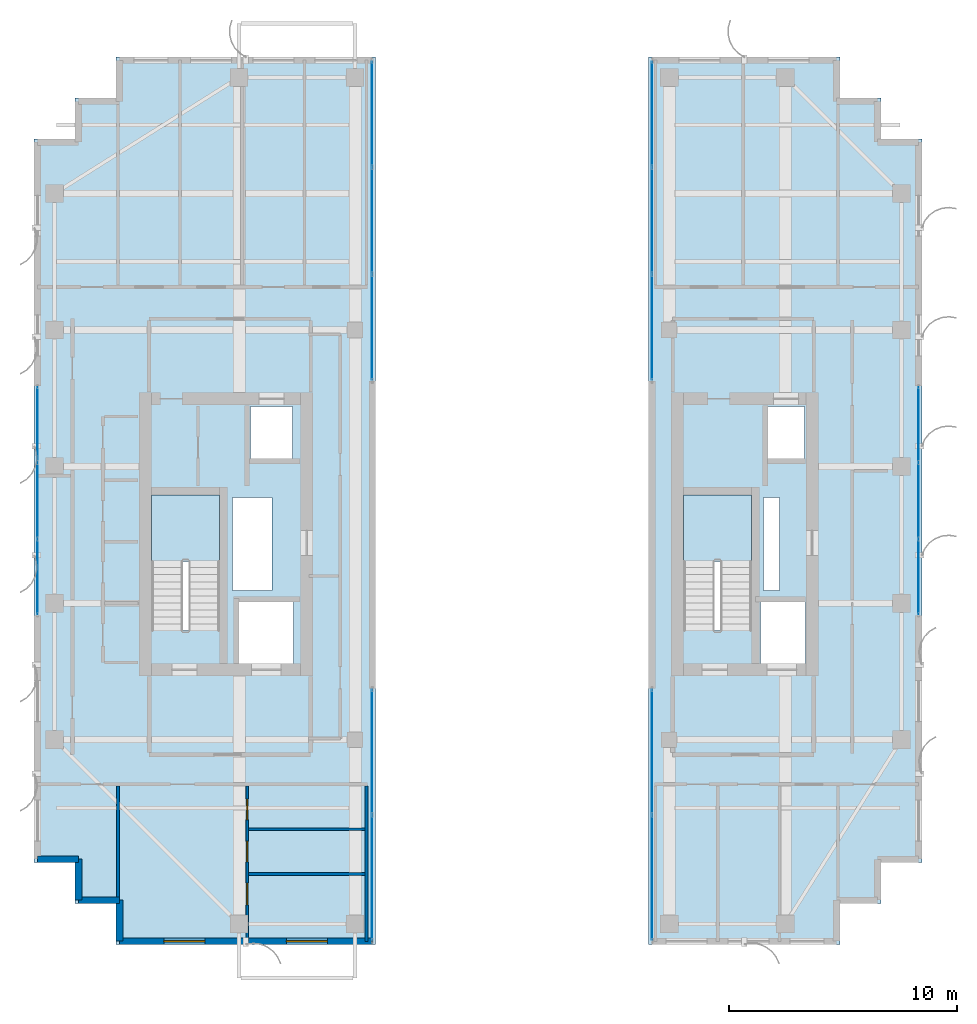
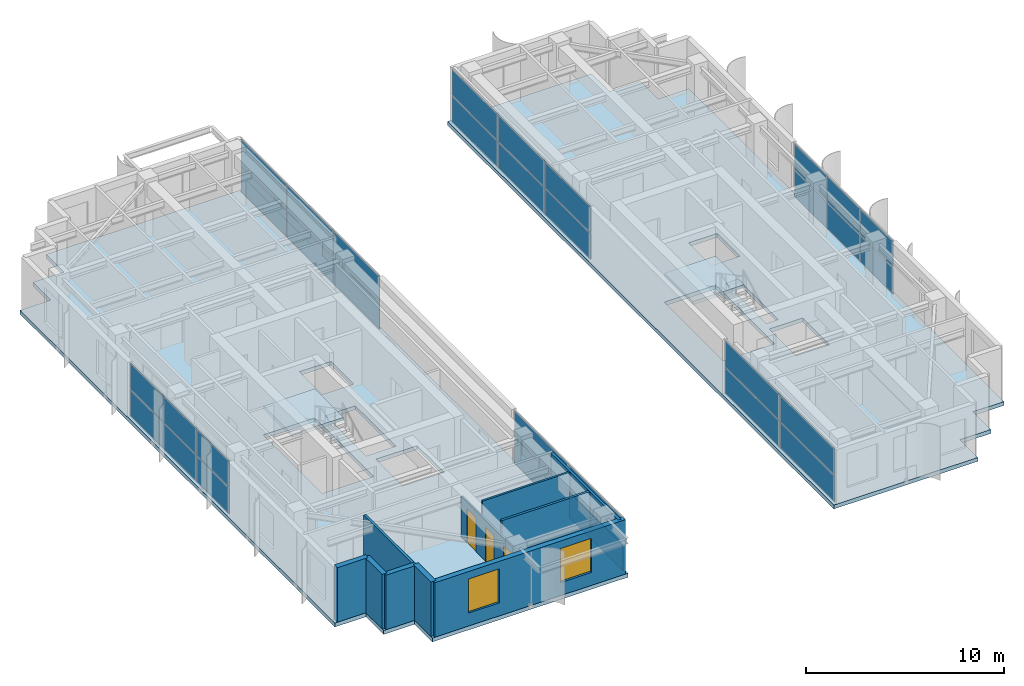
# One storey, part 16 of 22: 32 plates, 10 walls, 4 slabs, 3 doors, 2 windows, 5 openings, 8 elements without a shape of their own.
"""IFC4 building model written with IfcOpenShell, lengths in metres."""

from ifc_helpers import new_model, si_unit, direction, frame, frame_2d, origin, origin_2d, place, context, subcontext, project, spatial, polyline, rectangle, outline, extrude, source, transform, mapped, material, layer, layer_set, type_object, element, fill, aggregate, save


model = new_model("IFC4")

# Units and contexts
model_context = context("Model", 3, precision=1e-05, world=origin(), true_north=direction((0.0, 1.0)))
body_context = subcontext(model_context, "Body", "Model", "MODEL_VIEW")
ifc_project = project(units=[si_unit("LENGTHUNIT", "METRE"), si_unit("AREAUNIT", "SQUARE_METRE"), si_unit("VOLUMEUNIT", "CUBIC_METRE"), si_unit("PLANEANGLEUNIT", "RADIAN"), si_unit("MASSUNIT", "GRAM", prefix="KILO")], contexts=[model_context])

# Site, building, storey
site_placement = place(None, origin())
site = spatial("IfcSite", under=ifc_project, at=site_placement, CompositionType="ELEMENT")
building_placement = place(site_placement, origin())
building = spatial("IfcBuilding", under=site, at=building_placement, Name="Khoralis Quay Care Tower", CompositionType="ELEMENT")
storey_placement = place(building_placement, frame((0.0, 0.0, 256.5)))
storey = spatial("IfcBuildingStorey", under=building, at=storey_placement, Name="L67", CompositionType="ELEMENT", Elevation=256.5)

# Stair, slab
ifc_material_1 = material(Name="Precast concrete C45/55", Category="concrete")
stair_type = type_object("IfcStairType", Name="ST-TWR-DOGLEG-1400", PredefinedType="HALF_TURN_STAIR", material=ifc_material_1)
stair_1_placement = place(storey_placement, origin())
stair_1 = element("IfcStair", 1, at=stair_1_placement, inside=storey, type_object=stair_type, Name="L67 West Core Exit Stair ST-T1", PredefinedType="HALF_TURN_STAIR")
ifc_layer_1 = layer(ifc_material_1, 0.199951171875)
ifc_layer_set_1 = layer_set([ifc_layer_1], Name="Precast concrete C45/55")
slab_type_1 = type_object("IfcSlabType", Name="SLB-LANDING-200", PredefinedType="LANDING", material=ifc_layer_set_1)
slab_1_placement = place(storey_placement, frame((0.0, 0.0, 1.60009765625)))
slab_1 = element("IfcSlab", 2, at=slab_1_placement, type_object=slab_type_1, Name="ST-T1 landing 1", PredefinedType="LANDING", context=body_context, shape_type="SweptSolid", body=[
    extrude(outline(polyline([(11.14990234375, 19.840087890625), (11.14990234375, 22.75), (8.14990234375, 22.75), (8.14990234375, 19.840087890625), (11.14990234375, 19.840087890625)])), origin(), (0.0, 0.0, 1.0), 0.199951171875),
])
aggregate(stair_1, [slab_1])

stair_2_placement = place(storey_placement, origin())
stair_2 = element("IfcStair", 3, at=stair_2_placement, inside=storey, type_object=stair_type, Name="L67 East Core Exit Stair ST-T2", PredefinedType="HALF_TURN_STAIR")
slab_2_placement = place(storey_placement, frame((0.0, 0.0, 1.60009765625)))
slab_2 = element("IfcSlab", 4, at=slab_2_placement, type_object=slab_type_1, Name="ST-T2 landing 1", PredefinedType="LANDING", context=body_context, shape_type="SweptSolid", body=[
    extrude(outline(polyline([(34.52001953125, 19.840087890625), (34.52001953125, 22.75), (31.52001953125, 22.75), (31.52001953125, 19.840087890625), (34.52001953125, 19.840087890625)])), origin(), (0.0, 0.0, 1.0), 0.199951171875),
])
aggregate(stair_2, [slab_2])

# Slabs
ifc_material_2 = material(Name="Concrete C40/50", Category="concrete")
ifc_layer_2 = layer(ifc_material_2, 0.239990234375)
ifc_layer_set_2 = layer_set([ifc_layer_2], Name="Concrete C40/50")
slab_type_2 = type_object("IfcSlabType", Name="SLB-TWR-240", PredefinedType="FLOOR", material=ifc_layer_set_2)
slab_3_placement = place(storey_placement, frame((0.0, 0.0, -0.239990234375)))
element("IfcSlab", 5, at=slab_3_placement, inside=storey, type_object=slab_type_2, Name="Tower Wing 1 Slab L67", PredefinedType="FLOOR", context=body_context, shape_type="SweptSolid", body=[
    extrude(outline(polyline([(6.60009765625, 3.0), (18.0, 3.0), (18.0, 42.0), (6.60009765625, 42.0), (6.60009765625, 40.199951171875), (4.800048828125, 40.199951171875), (4.800048828125, 38.39990234375), (3.0, 38.39990234375), (3.0, 6.60009765625), (4.800048828125, 6.60009765625), (4.800048828125, 4.800048828125), (6.60009765625, 4.800048828125), (6.60009765625, 3.0)]), holes=[polyline([(11.14990234375, 16.800048828125), (11.14990234375, 22.75), (8.14990234375, 22.75), (8.14990234375, 16.800048828125), (11.14990234375, 16.800048828125)]), polyline([(12.0, 15.35009765625), (14.39990234375, 15.35009765625), (14.39990234375, 18.050048828125), (12.0, 18.050048828125), (12.0, 15.35009765625)]), polyline([(12.5, 24.35009765625), (14.35009765625, 24.35009765625), (14.35009765625, 26.64990234375), (12.5, 26.64990234375), (12.5, 24.35009765625)]), polyline([(11.719970703125, 18.550048828125), (13.449951171875, 18.550048828125), (13.449951171875, 22.64990234375), (11.719970703125, 22.64990234375), (11.719970703125, 18.550048828125)])]), origin(), (0.0, 0.0, 1.0), 0.239990234375),
])
slab_4_placement = place(storey_placement, frame((0.0, 0.0, -0.239990234375)))
element("IfcSlab", 6, at=slab_4_placement, inside=storey, type_object=slab_type_2, Name="Tower Wing 2 Slab L67", PredefinedType="FLOOR", context=body_context, shape_type="SweptSolid", body=[
    extrude(outline(polyline([(30.0, 3.0), (38.39990234375, 3.0), (38.39990234375, 4.800048828125), (40.199951171875, 4.800048828125), (40.199951171875, 6.60009765625), (42.0, 6.60009765625), (42.0, 38.39990234375), (40.199951171875, 38.39990234375), (40.199951171875, 40.199951171875), (38.39990234375, 40.199951171875), (38.39990234375, 42.0), (30.0, 42.0), (30.0, 3.0)]), holes=[polyline([(34.52001953125, 16.800048828125), (34.52001953125, 22.75), (31.52001953125, 22.75), (31.52001953125, 16.800048828125), (34.52001953125, 16.800048828125)]), polyline([(34.919921875, 15.35009765625), (36.8798828125, 15.35009765625), (36.8798828125, 18.050048828125), (34.919921875, 18.050048828125), (34.919921875, 15.35009765625)]), polyline([(35.199951171875, 24.35009765625), (36.85009765625, 24.35009765625), (36.85009765625, 26.64990234375), (35.199951171875, 26.64990234375), (35.199951171875, 24.35009765625)]), polyline([(35.050048828125, 18.550048828125), (35.75, 18.550048828125), (35.75, 22.64990234375), (35.050048828125, 22.64990234375), (35.050048828125, 18.550048828125)])]), origin(), (0.0, 0.0, 1.0), 0.239990234375),
])

# Curtain wall, plates
ifc_material_3 = material(Name="Pale anodised aluminium", Category="aluminium")
ifc_layer_3 = layer(ifc_material_3, 0.18994140625)
ifc_layer_set_3 = layer_set([ifc_layer_3], Name="Pale anodised aluminium")
curtain_wall_type_1 = type_object("IfcCurtainWallType", Name="CW-SYS-PORTAL", PredefinedType="NOTDEFINED", material=ifc_layer_set_3)
curtain_wall_1_placement = place(storey_placement, origin())
curtain_wall_1 = element("IfcCurtainWall", 7, at=curtain_wall_1_placement, inside=storey, type_object=curtain_wall_type_1, Name="L67 Unitised Curtain Wall CW-VP-L67-P1-S", PredefinedType="NOTDEFINED")
ifc_material_4 = material(Name="Low-E solar-control double glazing", Category="glass")
ifc_layer_4 = layer(ifc_material_4, 0.031982421875)
ifc_layer_set_4 = layer_set([ifc_layer_4], Name="Low-E solar-control double glazing")
plate_type = type_object("IfcPlateType", Name="PNL-VIS-32", PredefinedType="CURTAIN_PANEL", material=ifc_layer_set_4)
shared_shape_1 = source(origin(), body_context, "Body", "SweptSolid", [
    extrude(rectangle(XDim=5.4599609375, YDim=0.028076171875, at=origin_2d()), origin(), (0.0, 0.0, 1.0), 1.590087890625),
])
plate_1_placement = place(storey_placement, frame((17.85009765625, 5.93994140625, 0.06005859375), z_axis=(0.0, 0.0, 1.0), x_axis=(0.0, 1.0, 0.0)))
plate_1 = element("IfcPlate", 8, at=plate_1_placement, type_object=plate_type, Name="CW4 panel 1.1", PredefinedType="CURTAIN_PANEL", context=body_context, shape_type="MappedRepresentation", body=[
    mapped(shared_shape_1, transform((0.0, 0.0, 0.0), scale=1.0)),
])
plate_2_placement = place(storey_placement, frame((17.85009765625, 5.93994140625, 1.7099609375), z_axis=(0.0, 0.0, 1.0), x_axis=(0.0, 1.0, 0.0)))
plate_2 = element("IfcPlate", 9, at=plate_2_placement, type_object=plate_type, Name="CW4 panel 1.2", PredefinedType="CURTAIN_PANEL", context=body_context, shape_type="MappedRepresentation", body=[
    mapped(shared_shape_1, transform((0.0, 0.0, 0.0), scale=1.0)),
])
plate_3_placement = place(storey_placement, frame((17.85009765625, 11.4599609375, 0.06005859375), z_axis=(0.0, 0.0, 1.0), x_axis=(0.0, 1.0, 0.0)))
plate_3 = element("IfcPlate", 10, at=plate_3_placement, type_object=plate_type, Name="CW4 panel 2.1", PredefinedType="CURTAIN_PANEL", context=body_context, shape_type="MappedRepresentation", body=[
    mapped(shared_shape_1, transform((0.0, 0.0, 0.0), scale=1.0)),
])
plate_4_placement = place(storey_placement, frame((17.85009765625, 11.4599609375, 1.7099609375), z_axis=(0.0, 0.0, 1.0), x_axis=(0.0, 1.0, 0.0)))
plate_4 = element("IfcPlate", 11, at=plate_4_placement, type_object=plate_type, Name="CW4 panel 2.2", PredefinedType="CURTAIN_PANEL", context=body_context, shape_type="MappedRepresentation", body=[
    mapped(shared_shape_1, transform((0.0, 0.0, 0.0), scale=1.0)),
])
aggregate(curtain_wall_1, [plate_1, plate_2, plate_3, plate_4])

curtain_wall_2_placement = place(storey_placement, origin())
curtain_wall_2 = element("IfcCurtainWall", 12, at=curtain_wall_2_placement, inside=storey, type_object=curtain_wall_type_1, Name="L67 Unitised Curtain Wall CW-VP-L67-P2-S", PredefinedType="NOTDEFINED")
plate_5_placement = place(storey_placement, frame((30.14990234375, 5.93994140625, 0.06005859375), z_axis=(0.0, 0.0, 1.0), x_axis=(0.0, 1.0, 0.0)))
plate_5 = element("IfcPlate", 13, at=plate_5_placement, type_object=plate_type, Name="CW4 panel 1.1", PredefinedType="CURTAIN_PANEL", context=body_context, shape_type="MappedRepresentation", body=[
    mapped(shared_shape_1, transform((0.0, 0.0, 0.0), scale=1.0)),
])
plate_6_placement = place(storey_placement, frame((30.14990234375, 5.93994140625, 1.7099609375), z_axis=(0.0, 0.0, 1.0), x_axis=(0.0, 1.0, 0.0)))
plate_6 = element("IfcPlate", 14, at=plate_6_placement, type_object=plate_type, Name="CW4 panel 1.2", PredefinedType="CURTAIN_PANEL", context=body_context, shape_type="MappedRepresentation", body=[
    mapped(shared_shape_1, transform((0.0, 0.0, 0.0), scale=1.0)),
])
plate_7_placement = place(storey_placement, frame((30.14990234375, 11.4599609375, 0.06005859375), z_axis=(0.0, 0.0, 1.0), x_axis=(0.0, 1.0, 0.0)))
plate_7 = element("IfcPlate", 15, at=plate_7_placement, type_object=plate_type, Name="CW4 panel 2.1", PredefinedType="CURTAIN_PANEL", context=body_context, shape_type="MappedRepresentation", body=[
    mapped(shared_shape_1, transform((0.0, 0.0, 0.0), scale=1.0)),
])
plate_8_placement = place(storey_placement, frame((30.14990234375, 11.4599609375, 1.7099609375), z_axis=(0.0, 0.0, 1.0), x_axis=(0.0, 1.0, 0.0)))
plate_8 = element("IfcPlate", 16, at=plate_8_placement, type_object=plate_type, Name="CW4 panel 2.2", PredefinedType="CURTAIN_PANEL", context=body_context, shape_type="MappedRepresentation", body=[
    mapped(shared_shape_1, transform((0.0, 0.0, 0.0), scale=1.0)),
])
aggregate(curtain_wall_2, [plate_5, plate_6, plate_7, plate_8])

curtain_wall_3_placement = place(storey_placement, origin())
curtain_wall_3 = element("IfcCurtainWall", 17, at=curtain_wall_3_placement, inside=storey, type_object=curtain_wall_type_1, Name="L67 Unitised Curtain Wall CW-VP-L67-P1-N", PredefinedType="NOTDEFINED")
shared_shape_2 = source(origin(), body_context, "Body", "SweptSolid", [
    extrude(rectangle(XDim=4.610107421875, YDim=0.028076171875, at=origin_2d()), origin(), (0.0, 0.0, 1.0), 1.590087890625),
])
plate_9_placement = place(storey_placement, frame((17.85009765625, 30.114990234375, 0.06005859375), z_axis=(0.0, 0.0, 1.0), x_axis=(0.0, 1.0, 0.0)))
plate_9 = element("IfcPlate", 18, at=plate_9_placement, type_object=plate_type, Name="CW4 panel 1.1", PredefinedType="CURTAIN_PANEL", context=body_context, shape_type="MappedRepresentation", body=[
    mapped(shared_shape_2, transform((0.0, 0.0, 0.0), scale=1.0)),
])
plate_10_placement = place(storey_placement, frame((17.85009765625, 30.114990234375, 1.7099609375), z_axis=(0.0, 0.0, 1.0), x_axis=(0.0, 1.0, 0.0)))
plate_10 = element("IfcPlate", 19, at=plate_10_placement, type_object=plate_type, Name="CW4 panel 1.2", PredefinedType="CURTAIN_PANEL", context=body_context, shape_type="MappedRepresentation", body=[
    mapped(shared_shape_2, transform((0.0, 0.0, 0.0), scale=1.0)),
])
plate_11_placement = place(storey_placement, frame((17.85009765625, 39.485107421875, 0.06005859375), z_axis=(0.0, 0.0, 1.0), x_axis=(0.0, 1.0, 0.0)))
plate_11 = element("IfcPlate", 20, at=plate_11_placement, type_object=plate_type, Name="CW4 panel 3.1", PredefinedType="CURTAIN_PANEL", context=body_context, shape_type="MappedRepresentation", body=[
    mapped(shared_shape_2, transform((0.0, 0.0, 0.0), scale=1.0)),
])
plate_12_placement = place(storey_placement, frame((17.85009765625, 39.485107421875, 1.7099609375), z_axis=(0.0, 0.0, 1.0), x_axis=(0.0, 1.0, 0.0)))
plate_12 = element("IfcPlate", 21, at=plate_12_placement, type_object=plate_type, Name="CW4 panel 3.2", PredefinedType="CURTAIN_PANEL", context=body_context, shape_type="MappedRepresentation", body=[
    mapped(shared_shape_2, transform((0.0, 0.0, 0.0), scale=1.0)),
])

curtain_wall_4_placement = place(storey_placement, origin())
curtain_wall_4 = element("IfcCurtainWall", 22, at=curtain_wall_4_placement, inside=storey, type_object=curtain_wall_type_1, Name="L67 Unitised Curtain Wall CW-VP-L67-P2-N", PredefinedType="NOTDEFINED")
plate_13_placement = place(storey_placement, frame((30.14990234375, 30.114990234375, 0.06005859375), z_axis=(0.0, 0.0, 1.0), x_axis=(0.0, 1.0, 0.0)))
plate_13 = element("IfcPlate", 23, at=plate_13_placement, type_object=plate_type, Name="CW4 panel 1.1", PredefinedType="CURTAIN_PANEL", context=body_context, shape_type="MappedRepresentation", body=[
    mapped(shared_shape_2, transform((0.0, 0.0, 0.0), scale=1.0)),
])
plate_14_placement = place(storey_placement, frame((30.14990234375, 30.114990234375, 1.7099609375), z_axis=(0.0, 0.0, 1.0), x_axis=(0.0, 1.0, 0.0)))
plate_14 = element("IfcPlate", 24, at=plate_14_placement, type_object=plate_type, Name="CW4 panel 1.2", PredefinedType="CURTAIN_PANEL", context=body_context, shape_type="MappedRepresentation", body=[
    mapped(shared_shape_2, transform((0.0, 0.0, 0.0), scale=1.0)),
])
plate_15_placement = place(storey_placement, frame((30.14990234375, 39.485107421875, 0.06005859375), z_axis=(0.0, 0.0, 1.0), x_axis=(0.0, 1.0, 0.0)))
plate_15 = element("IfcPlate", 25, at=plate_15_placement, type_object=plate_type, Name="CW4 panel 3.1", PredefinedType="CURTAIN_PANEL", context=body_context, shape_type="MappedRepresentation", body=[
    mapped(shared_shape_2, transform((0.0, 0.0, 0.0), scale=1.0)),
])
plate_16_placement = place(storey_placement, frame((30.14990234375, 39.485107421875, 1.7099609375), z_axis=(0.0, 0.0, 1.0), x_axis=(0.0, 1.0, 0.0)))
plate_16 = element("IfcPlate", 26, at=plate_16_placement, type_object=plate_type, Name="CW4 panel 3.2", PredefinedType="CURTAIN_PANEL", context=body_context, shape_type="MappedRepresentation", body=[
    mapped(shared_shape_2, transform((0.0, 0.0, 0.0), scale=1.0)),
])

# Plate
shared_shape_3 = source(origin(), body_context, "Body", "SweptSolid", [
    extrude(rectangle(XDim=4.639892578125, YDim=0.028076171875, at=origin_2d()), origin(), (0.0, 0.0, 1.0), 1.590087890625),
])
plate_17_placement = place(storey_placement, frame((17.85009765625, 34.800048828125, 0.06005859375), z_axis=(0.0, 0.0, 1.0), x_axis=(0.0, 1.0, 0.0)))
plate_17 = element("IfcPlate", 27, at=plate_17_placement, type_object=plate_type, Name="CW4 panel 2.1", PredefinedType="CURTAIN_PANEL", context=body_context, shape_type="MappedRepresentation", body=[
    mapped(shared_shape_3, transform((0.0, 0.0, 0.0), scale=1.0)),
])

plate_18_placement = place(storey_placement, frame((17.85009765625, 34.800048828125, 1.7099609375), z_axis=(0.0, 0.0, 1.0), x_axis=(0.0, 1.0, 0.0)))
plate_18 = element("IfcPlate", 28, at=plate_18_placement, type_object=plate_type, Name="CW4 panel 2.2", PredefinedType="CURTAIN_PANEL", context=body_context, shape_type="MappedRepresentation", body=[
    mapped(shared_shape_3, transform((0.0, 0.0, 0.0), scale=1.0)),
])

aggregate(curtain_wall_3, [plate_9, plate_10, plate_17, plate_18, plate_11, plate_12])

plate_19_placement = place(storey_placement, frame((30.14990234375, 34.800048828125, 0.06005859375), z_axis=(0.0, 0.0, 1.0), x_axis=(0.0, 1.0, 0.0)))
plate_19 = element("IfcPlate", 29, at=plate_19_placement, type_object=plate_type, Name="CW4 panel 2.1", PredefinedType="CURTAIN_PANEL", context=body_context, shape_type="MappedRepresentation", body=[
    mapped(shared_shape_3, transform((0.0, 0.0, 0.0), scale=1.0)),
])

plate_20_placement = place(storey_placement, frame((30.14990234375, 34.800048828125, 1.7099609375), z_axis=(0.0, 0.0, 1.0), x_axis=(0.0, 1.0, 0.0)))
plate_20 = element("IfcPlate", 30, at=plate_20_placement, type_object=plate_type, Name="CW4 panel 2.2", PredefinedType="CURTAIN_PANEL", context=body_context, shape_type="MappedRepresentation", body=[
    mapped(shared_shape_3, transform((0.0, 0.0, 0.0), scale=1.0)),
])

aggregate(curtain_wall_4, [plate_13, plate_14, plate_19, plate_20, plate_15, plate_16])

# Curtain wall, plates
ifc_layer_5 = layer(ifc_material_3, 0.159912109375)
ifc_layer_set_5 = layer_set([ifc_layer_5], Name="Pale anodised aluminium")
curtain_wall_type_2 = type_object("IfcCurtainWallType", Name="CW-SYS-Z3", PredefinedType="NOTDEFINED", material=ifc_layer_set_5)
curtain_wall_5_placement = place(storey_placement, origin())
curtain_wall_5 = element("IfcCurtainWall", 31, at=curtain_wall_5_placement, inside=storey, type_object=curtain_wall_type_2, Name="L67 Unitised Curtain Wall CW-L67-P1-E7", PredefinedType="NOTDEFINED")
shared_shape_4 = source(origin(), body_context, "Body", "SweptSolid", [
    extrude(rectangle(XDim=3.27001953125, YDim=0.028076171875, at=origin_2d()), origin(), (0.0, 0.0, 1.0), 1.590087890625),
])
plate_21_placement = place(storey_placement, frame((3.14990234375, 25.844970703125, 0.06005859375), z_axis=(0.0, 0.0, 1.0), x_axis=(0.0, -1.0, 0.0)))
plate_21 = element("IfcPlate", 32, at=plate_21_placement, type_object=plate_type, Name="CW3 panel 1.1", PredefinedType="CURTAIN_PANEL", context=body_context, shape_type="MappedRepresentation", body=[
    mapped(shared_shape_4, transform((0.0, 0.0, 0.0), scale=1.0)),
])
plate_22_placement = place(storey_placement, frame((3.14990234375, 25.844970703125, 1.7099609375), z_axis=(0.0, 0.0, 1.0), x_axis=(0.0, -1.0, 0.0)))
plate_22 = element("IfcPlate", 33, at=plate_22_placement, type_object=plate_type, Name="CW3 panel 1.2", PredefinedType="CURTAIN_PANEL", context=body_context, shape_type="MappedRepresentation", body=[
    mapped(shared_shape_4, transform((0.0, 0.0, 0.0), scale=1.0)),
])
plate_23_placement = place(storey_placement, frame((3.14990234375, 19.155029296875, 0.06005859375), z_axis=(0.0, 0.0, 1.0), x_axis=(0.0, -1.0, 0.0)))
plate_23 = element("IfcPlate", 34, at=plate_23_placement, type_object=plate_type, Name="CW3 panel 3.1", PredefinedType="CURTAIN_PANEL", context=body_context, shape_type="MappedRepresentation", body=[
    mapped(shared_shape_4, transform((0.0, 0.0, 0.0), scale=1.0)),
])
plate_24_placement = place(storey_placement, frame((3.14990234375, 19.155029296875, 1.7099609375), z_axis=(0.0, 0.0, 1.0), x_axis=(0.0, -1.0, 0.0)))
plate_24 = element("IfcPlate", 35, at=plate_24_placement, type_object=plate_type, Name="CW3 panel 3.2", PredefinedType="CURTAIN_PANEL", context=body_context, shape_type="MappedRepresentation", body=[
    mapped(shared_shape_4, transform((0.0, 0.0, 0.0), scale=1.0)),
])

curtain_wall_6_placement = place(storey_placement, origin())
curtain_wall_6 = element("IfcCurtainWall", 36, at=curtain_wall_6_placement, inside=storey, type_object=curtain_wall_type_2, Name="L67 Unitised Curtain Wall CW-L67-P2-E5", PredefinedType="NOTDEFINED")
plate_25_placement = place(storey_placement, frame((41.85009765625, 19.155029296875, 0.06005859375), z_axis=(0.0, 0.0, 1.0), x_axis=(0.0, 1.0, 0.0)))
plate_25 = element("IfcPlate", 37, at=plate_25_placement, type_object=plate_type, Name="CW3 panel 1.1", PredefinedType="CURTAIN_PANEL", context=body_context, shape_type="MappedRepresentation", body=[
    mapped(shared_shape_4, transform((0.0, 0.0, 0.0), scale=1.0)),
])
plate_26_placement = place(storey_placement, frame((41.85009765625, 19.155029296875, 1.7099609375), z_axis=(0.0, 0.0, 1.0), x_axis=(0.0, 1.0, 0.0)))
plate_26 = element("IfcPlate", 38, at=plate_26_placement, type_object=plate_type, Name="CW3 panel 1.2", PredefinedType="CURTAIN_PANEL", context=body_context, shape_type="MappedRepresentation", body=[
    mapped(shared_shape_4, transform((0.0, 0.0, 0.0), scale=1.0)),
])
plate_27_placement = place(storey_placement, frame((41.85009765625, 25.844970703125, 0.06005859375), z_axis=(0.0, 0.0, 1.0), x_axis=(0.0, 1.0, 0.0)))
plate_27 = element("IfcPlate", 39, at=plate_27_placement, type_object=plate_type, Name="CW3 panel 3.1", PredefinedType="CURTAIN_PANEL", context=body_context, shape_type="MappedRepresentation", body=[
    mapped(shared_shape_4, transform((0.0, 0.0, 0.0), scale=1.0)),
])
plate_28_placement = place(storey_placement, frame((41.85009765625, 25.844970703125, 1.7099609375), z_axis=(0.0, 0.0, 1.0), x_axis=(0.0, 1.0, 0.0)))
plate_28 = element("IfcPlate", 40, at=plate_28_placement, type_object=plate_type, Name="CW3 panel 3.2", PredefinedType="CURTAIN_PANEL", context=body_context, shape_type="MappedRepresentation", body=[
    mapped(shared_shape_4, transform((0.0, 0.0, 0.0), scale=1.0)),
])

# Plate
shared_shape_5 = source(origin(), body_context, "Body", "SweptSolid", [
    extrude(rectangle(XDim=3.300048828125, YDim=0.028076171875, at=origin_2d()), origin(), (0.0, 0.0, 1.0), 1.590087890625),
])
plate_29_placement = place(storey_placement, frame((3.14990234375, 22.5, 0.06005859375), z_axis=(0.0, 0.0, 1.0), x_axis=(0.0, -1.0, 0.0)))
plate_29 = element("IfcPlate", 41, at=plate_29_placement, type_object=plate_type, Name="CW3 panel 2.1", PredefinedType="CURTAIN_PANEL", context=body_context, shape_type="MappedRepresentation", body=[
    mapped(shared_shape_5, transform((0.0, 0.0, 0.0), scale=1.0)),
])

plate_30_placement = place(storey_placement, frame((3.14990234375, 22.5, 1.7099609375), z_axis=(0.0, 0.0, 1.0), x_axis=(0.0, -1.0, 0.0)))
plate_30 = element("IfcPlate", 42, at=plate_30_placement, type_object=plate_type, Name="CW3 panel 2.2", PredefinedType="CURTAIN_PANEL", context=body_context, shape_type="MappedRepresentation", body=[
    mapped(shared_shape_5, transform((0.0, 0.0, 0.0), scale=1.0)),
])

aggregate(curtain_wall_5, [plate_21, plate_22, plate_29, plate_30, plate_23, plate_24])

plate_31_placement = place(storey_placement, frame((41.85009765625, 22.5, 0.06005859375), z_axis=(0.0, 0.0, 1.0), x_axis=(0.0, 1.0, 0.0)))
plate_31 = element("IfcPlate", 43, at=plate_31_placement, type_object=plate_type, Name="CW3 panel 2.1", PredefinedType="CURTAIN_PANEL", context=body_context, shape_type="MappedRepresentation", body=[
    mapped(shared_shape_5, transform((0.0, 0.0, 0.0), scale=1.0)),
])

plate_32_placement = place(storey_placement, frame((41.85009765625, 22.5, 1.7099609375), z_axis=(0.0, 0.0, 1.0), x_axis=(0.0, 1.0, 0.0)))
plate_32 = element("IfcPlate", 44, at=plate_32_placement, type_object=plate_type, Name="CW3 panel 2.2", PredefinedType="CURTAIN_PANEL", context=body_context, shape_type="MappedRepresentation", body=[
    mapped(shared_shape_5, transform((0.0, 0.0, 0.0), scale=1.0)),
])

aggregate(curtain_wall_6, [plate_25, plate_26, plate_31, plate_32, plate_27, plate_28])

# Wall, openings, windows
ifc_layer_6 = layer(ifc_material_1, 0.300048828125)
ifc_layer_set_6 = layer_set([ifc_layer_6], Name="Precast concrete C45/55")
wall_type_1 = type_object("IfcWallType", Name="WL-EXT-REF-300", PredefinedType="SOLIDWALL", material=ifc_layer_set_6)
wall_1_placement = place(storey_placement, frame((6.75, 3.14990234375, 0.0), z_axis=(0.0, 0.0, 1.0), x_axis=(1.0, 0.0, 0.0)))
wall_1 = element("IfcWall", 45, at=wall_1_placement, inside=storey, type_object=wall_type_1, Name="L67 External Facade Wall WL-EXT-L67-P1-E0", PredefinedType="SOLIDWALL", context=body_context, shape_type="SweptSolid", body=[
    extrude(rectangle(XDim=11.10009765625, YDim=0.300048828125, at=frame_2d((5.550048828125, 0.0))), origin(), (0.0, 0.0, 1.0), 3.360107421875),
])
opening_1_placement = place(wall_1_placement, frame((1.9541015625, 0.0, 0.800048828125)))
opening_1 = element("IfcOpeningElement", 46, at=opening_1_placement, cuts=wall_1, Name="Opening W2", PredefinedType="OPENING", context=body_context, shape_type="SweptSolid", body=[
    extrude(rectangle(XDim=1.800048828125, YDim=2.10009765625, at=frame_2d((0.89990234375, 1.050048828125))), frame((0.0, 0.16015625, 0.0), z_axis=(0.0, -1.0, 0.0), x_axis=(1.0, 0.0, 0.0)), (0.0, 0.0, 1.0), 0.320068359375),
])
opening_2_placement = place(wall_1_placement, frame((7.3291015625, 0.0, 0.800048828125)))
opening_2 = element("IfcOpeningElement", 47, at=opening_2_placement, cuts=wall_1, Name="Opening W2", PredefinedType="OPENING", context=body_context, shape_type="SweptSolid", body=[
    extrude(rectangle(XDim=1.800048828125, YDim=2.10009765625, at=frame_2d((0.89990234375, 1.050048828125))), frame((0.0, 0.16015625, 0.0), z_axis=(0.0, -1.0, 0.0), x_axis=(1.0, 0.0, 0.0)), (0.0, 0.0, 1.0), 0.320068359375),
])
window_type = type_object("IfcWindowType", Name="WN-POD-1800X2100", PartitioningType="SINGLE_PANEL", PredefinedType="WINDOW", material=ifc_material_4)
shared_shape_6 = source(origin(), body_context, "Body", "SweptSolid", [
    extrude(rectangle(XDim=1.800048828125, YDim=2.10009765625, at=frame_2d((0.89990234375, 1.050048828125))), frame((0.0, 0.030029296875, 0.0), z_axis=(0.0, -1.0, 0.0), x_axis=(1.0, 0.0, 0.0)), (0.0, 0.0, 1.0), 0.06005859375),
])
window_1_placement = place(opening_1_placement, origin())
window_1 = element("IfcWindow", 48, at=window_1_placement, inside=storey, type_object=window_type, Name="WN-L67-P1-E0 Facade Window 01", OverallHeight=2.10009765625, OverallWidth=1.800048828125, PartitioningType="SINGLE_PANEL", PredefinedType="WINDOW", context=body_context, shape_type="MappedRepresentation", body=[
    mapped(shared_shape_6, transform((0.0, 0.0, 0.0), scale=1.0)),
])
fill(opening_1, window_1)
window_2_placement = place(opening_2_placement, origin())
window_2 = element("IfcWindow", 49, at=window_2_placement, inside=storey, type_object=window_type, Name="WN-L67-P1-E0 Facade Window 02", OverallHeight=2.10009765625, OverallWidth=1.800048828125, PartitioningType="SINGLE_PANEL", PredefinedType="WINDOW", context=body_context, shape_type="MappedRepresentation", body=[
    mapped(shared_shape_6, transform((0.0, 0.0, 0.0), scale=1.0)),
])
fill(opening_2, window_2)

# Walls
for number, where, z_axis, x_axis, name in (
    (50, (3.14990234375, 6.75, 0.0), (0.0, 0.0, 1.0), (1.0, 0.0, 0.0), "L67 External Facade Wall WL-EXT-L67-P1-C8"),
    (51, (4.949951171875, 6.75, 0.0), (0.0, 0.0, 1.0), (0.0, -1.0, 0.0), "L67 External Facade Wall WL-EXT-L67-P1-C9"),
    (52, (4.949951171875, 4.949951171875, 0.0), (0.0, 0.0, 1.0), (1.0, 0.0, 0.0), "L67 External Facade Wall WL-EXT-L67-P1-C10"),
    (53, (6.75, 4.949951171875, 0.0), (0.0, 0.0, 1.0), (0.0, -1.0, 0.0), "L67 External Facade Wall WL-EXT-L67-P1-C11"),
):
    element("IfcWall", number, at=place(storey_placement, frame(where, z_axis=z_axis, x_axis=x_axis)), inside=storey, type_object=wall_type_1, Name=name, PredefinedType="SOLIDWALL", context=body_context, shape_type="SweptSolid", body=[
        extrude(rectangle(XDim=1.800048828125, YDim=0.300048828125, at=frame_2d((0.89990234375, 0.0))), origin(), (0.0, 0.0, 1.0), 3.360107421875),
    ])

# Wall, openings, doors
ifc_material_5 = material(Name="Gypsum plasterboard on acoustic metal stud")
ifc_layer_7 = layer(ifc_material_5, 0.114990234375)
ifc_layer_set_7 = layer_set([ifc_layer_7], Name="Gypsum plasterboard on acoustic metal stud")
wall_type_2 = type_object("IfcWallType", Name="WL-PART-115", PredefinedType="PARTITIONING", material=ifc_layer_set_7)
wall_2_placement = place(storey_placement, frame((12.35791015625, 3.14501953125, 0.0), z_axis=(0.0, 0.0, 1.0), x_axis=(0.0, 1.0, 0.0)))
wall_2 = element("IfcWall", 54, at=wall_2_placement, inside=storey, type_object=wall_type_2, Name="L67 Unit 0 Internal Wall", PredefinedType="PARTITIONING", context=body_context, shape_type="SweptSolid", body=[
    extrude(rectangle(XDim=6.8173828125, YDim=0.114990234375, at=frame_2d((3.40869140625, 0.0))), origin(), (0.0, 0.0, 1.0), 2.510009765625),
])
opening_3_placement = place(wall_2_placement, frame((1.60400390625, 0.0, 0.0)))
opening_3 = element("IfcOpeningElement", 55, at=opening_3_placement, cuts=wall_2, Name="Opening ID1", PredefinedType="OPENING", context=body_context, shape_type="SweptSolid", body=[
    extrude(rectangle(XDim=0.949951171875, YDim=2.10009765625, at=frame_2d((0.47509765625, 1.050048828125))), frame((0.0, 0.0673828125, 0.0), z_axis=(0.0, -1.0, 0.0), x_axis=(1.0, 0.0, 0.0)), (0.0, 0.0, 1.0), 0.135009765625),
])
opening_4_placement = place(wall_2_placement, frame((3.488525390625, 0.0, 0.0)))
opening_4 = element("IfcOpeningElement", 56, at=opening_4_placement, cuts=wall_2, Name="Opening WD1", PredefinedType="OPENING", context=body_context, shape_type="SweptSolid", body=[
    extrude(rectangle(XDim=0.89990234375, YDim=2.10009765625, at=frame_2d((0.449951171875, 1.050048828125))), frame((0.0, 0.0673828125, 0.0), z_axis=(0.0, -1.0, 0.0), x_axis=(1.0, 0.0, 0.0)), (0.0, 0.0, 1.0), 0.135009765625),
])
opening_5_placement = place(wall_2_placement, frame((5.344482421875, 0.0, 0.0)))
opening_5 = element("IfcOpeningElement", 57, at=opening_5_placement, cuts=wall_2, Name="Opening WD1", PredefinedType="OPENING", context=body_context, shape_type="SweptSolid", body=[
    extrude(rectangle(XDim=0.89990234375, YDim=2.10009765625, at=frame_2d((0.449951171875, 1.050048828125))), frame((0.0, 0.0673828125, 0.0), z_axis=(0.0, -1.0, 0.0), x_axis=(1.0, 0.0, 0.0)), (0.0, 0.0, 1.0), 0.135009765625),
])
ifc_material_6 = material(Name="Acoustic hardwood timber", Category="wood")
door_type_1 = type_object("IfcDoorType", Name="DR-BATH-900X2100", OperationType="NOTDEFINED", PredefinedType="DOOR", material=ifc_material_6)
shared_shape_7 = source(origin(), body_context, "Body", "SweptSolid", [
    extrude(rectangle(XDim=0.89990234375, YDim=2.10009765625, at=frame_2d((0.449951171875, 1.050048828125))), frame((0.0, 0.02490234375, 0.0), z_axis=(0.0, -1.0, 0.0), x_axis=(1.0, 0.0, 0.0)), (0.0, 0.0, 1.0), 0.050048828125),
])
door_1_placement = place(opening_4_placement, frame((0.89990234375, 0.0, 0.0), z_axis=(0.0, 0.0, 1.0), x_axis=(-1.0, 0.0, 0.0)))
door_1 = element("IfcDoor", 58, at=door_1_placement, inside=storey, type_object=door_type_1, Name="L67 Apartment WS0 KIT Door", OperationType="SINGLE_SWING_RIGHT", OverallHeight=2.10009765625, OverallWidth=0.89990234375, PredefinedType="DOOR", context=body_context, shape_type="MappedRepresentation", body=[
    mapped(shared_shape_7, transform((0.0, 0.0, 0.0), scale=1.0)),
])
fill(opening_4, door_1)
door_2_placement = place(opening_5_placement, frame((0.89990234375, 0.0, 0.0), z_axis=(0.0, 0.0, 1.0), x_axis=(-1.0, 0.0, 0.0)))
door_2 = element("IfcDoor", 59, at=door_2_placement, inside=storey, type_object=door_type_1, Name="L67 Apartment WS0 BTH Door", OperationType="SINGLE_SWING_LEFT", OverallHeight=2.10009765625, OverallWidth=0.89990234375, PredefinedType="DOOR", context=body_context, shape_type="MappedRepresentation", body=[
    mapped(shared_shape_7, transform((0.0, 0.0, 0.0), scale=1.0)),
])
fill(opening_5, door_2)
door_type_2 = type_object("IfcDoorType", Name="DR-ROOM-950X2100", OperationType="NOTDEFINED", PredefinedType="DOOR", material=ifc_material_6)
shared_shape_8 = source(origin(), body_context, "Body", "SweptSolid", [
    extrude(rectangle(XDim=0.949951171875, YDim=2.10009765625, at=frame_2d((0.47509765625, 1.050048828125))), frame((0.0, 0.02490234375, 0.0), z_axis=(0.0, -1.0, 0.0), x_axis=(1.0, 0.0, 0.0)), (0.0, 0.0, 1.0), 0.050048828125),
])
door_3_placement = place(opening_3_placement, frame((0.949951171875, 0.0, 0.0), z_axis=(0.0, 0.0, 1.0), x_axis=(-1.0, 0.0, 0.0)))
door_3 = element("IfcDoor", 60, at=door_3_placement, inside=storey, type_object=door_type_2, Name="L67 Apartment WS0 BED Door", OperationType="SINGLE_SWING_LEFT", OverallHeight=2.10009765625, OverallWidth=0.949951171875, PredefinedType="DOOR", context=body_context, shape_type="MappedRepresentation", body=[
    mapped(shared_shape_8, transform((0.0, 0.0, 0.0), scale=1.0)),
])
fill(opening_3, door_3)

# Walls
wall_3_placement = place(storey_placement, frame((12.410400390625, 8.069091796875, 0.0), z_axis=(0.0, 0.0, 1.0), x_axis=(1.0, 0.0, 0.0)))
element("IfcWall", 61, at=wall_3_placement, inside=storey, type_object=wall_type_2, Name="L67 Unit 0 Kitchen Wall", PredefinedType="PARTITIONING", context=body_context, shape_type="SweptSolid", body=[
    extrude(rectangle(XDim=5.12451171875, YDim=0.114990234375, at=frame_2d((2.562255859375, 0.0))), origin(), (0.0, 0.0, 1.0), 3.360107421875),
])
ifc_material_7 = material(Name="Moisture-resistant gypsum and ceramic tile")
ifc_layer_8 = layer(ifc_material_7, 0.280029296875)
ifc_layer_set_8 = layer_set([ifc_layer_8], Name="Moisture-resistant gypsum and ceramic tile")
wall_type_3 = type_object("IfcWallType", Name="WL-PLUMB-280", PredefinedType="PLUMBINGWALL", material=ifc_layer_set_8)
wall_4_placement = place(storey_placement, frame((12.410400390625, 6.097900390625, 0.0), z_axis=(0.0, 0.0, 1.0), x_axis=(1.0, 0.0, 0.0)))
element("IfcWall", 62, at=wall_4_placement, inside=storey, type_object=wall_type_3, Name="L67 Unit 0 Wet Wall", PredefinedType="PLUMBINGWALL", context=body_context, shape_type="SweptSolid", body=[
    extrude(rectangle(XDim=5.12451171875, YDim=0.139892578125, at=frame_2d((2.562255859375, 0.0))), origin(), (0.0, 0.0, 1.0), 3.360107421875),
])
ifc_layer_9 = layer(ifc_material_5, 0.139892578125)
ifc_layer_set_9 = layer_set([ifc_layer_9], Name="Gypsum plasterboard on acoustic metal stud")
wall_type_4 = type_object("IfcWallType", Name="WL-UNIT-140", PredefinedType="PARTITIONING", material=ifc_layer_set_9)
wall_5_placement = place(storey_placement, frame((6.679931640625, 4.945068359375, 0.0), z_axis=(0.0, 0.0, 1.0), x_axis=(0.0, 1.0, 0.0)))
element("IfcWall", 63, at=wall_5_placement, inside=storey, type_object=wall_type_4, Name="L67 WS Demising Wall 0", PredefinedType="PARTITIONING", context=body_context, shape_type="SweptSolid", body=[
    extrude(rectangle(XDim=5.017333984375, YDim=0.139892578125, at=frame_2d((2.5087890625, 0.0))), origin(), (0.0, 0.0, 1.0), 3.360107421875),
])
wall_6_placement = place(storey_placement, frame((17.60009765625, 3.14501953125, 0.0), z_axis=(0.0, 0.0, 1.0), x_axis=(0.0, 1.0, 0.0)))
element("IfcWall", 64, at=wall_6_placement, inside=storey, type_object=wall_type_4, Name="L67 WS Demising Wall 1", PredefinedType="PARTITIONING", context=body_context, shape_type="SweptSolid", body=[
    extrude(rectangle(XDim=6.8173828125, YDim=0.139892578125, at=frame_2d((3.40869140625, 0.0))), origin(), (0.0, 0.0, 1.0), 3.360107421875),
])

save(model, "model.ifc")
